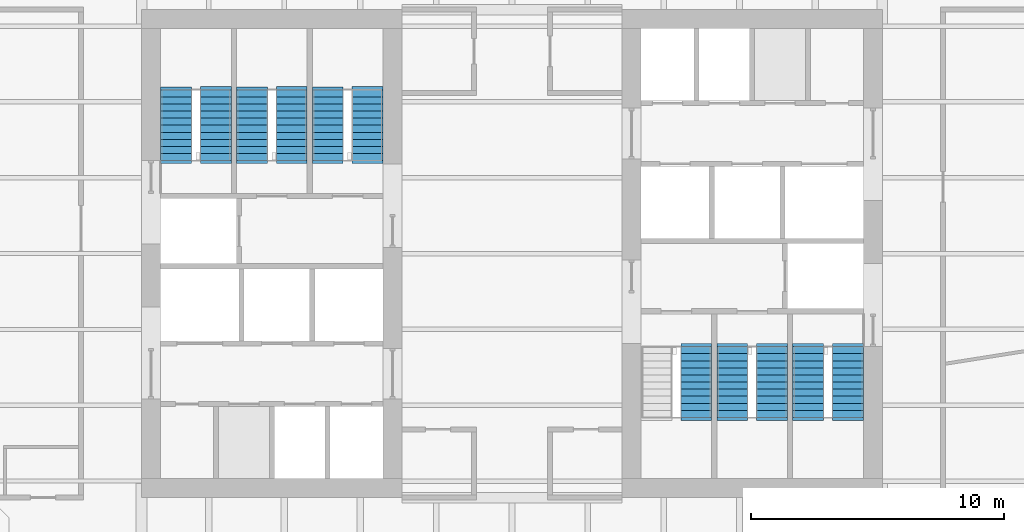
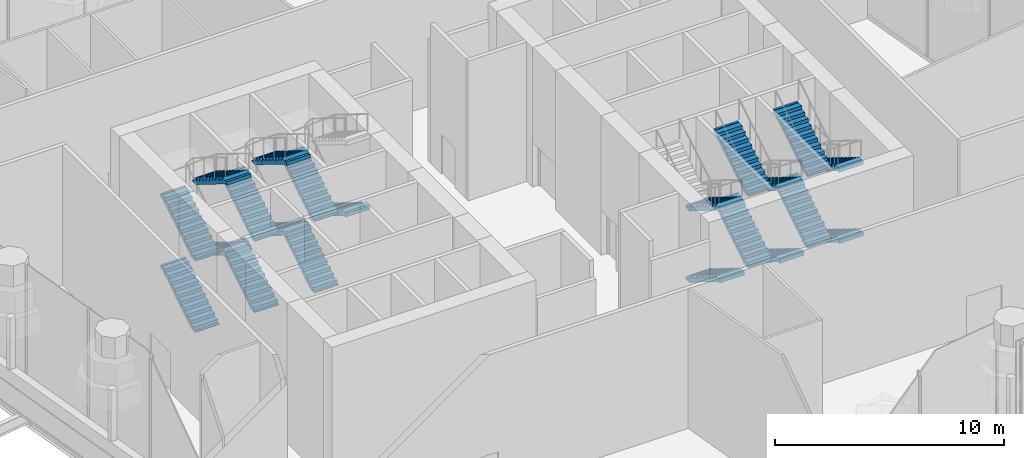
# One storey, part 14 of 19: 21 stair flights, 6 elements without a shape of their own.
"""IFC4 building model written with IfcOpenShell, lengths in metres."""

from ifc_helpers import new_model, si_unit, direction, frame, origin, place, context, subcontext, project, spatial, polyline, outline, extrude, material, type_object, element, aggregate, save


model = new_model("IFC4")

# Units and contexts
model_context = context("Model", 3, precision=1e-05, world=origin(), true_north=direction((0.0, 1.0)))
body_context = subcontext(model_context, "Body", "Model", "MODEL_VIEW")
ifc_project = project(units=[si_unit("LENGTHUNIT", "METRE"), si_unit("AREAUNIT", "SQUARE_METRE"), si_unit("VOLUMEUNIT", "CUBIC_METRE"), si_unit("PLANEANGLEUNIT", "RADIAN"), si_unit("MASSUNIT", "GRAM", prefix="KILO")], contexts=[model_context])

# Site, building, storey
site_placement = place(None, origin())
site = spatial("IfcSite", under=ifc_project, at=site_placement, CompositionType="ELEMENT")
building_placement = place(site_placement, origin())
building = spatial("IfcBuilding", under=site, at=building_placement, Name="Millrace Tower", CompositionType="ELEMENT")
storey_placement = place(building_placement, frame((0.0, 0.0, 172.39990234375)))
storey = spatial("IfcBuildingStorey", under=building, at=storey_placement, Name="L39", CompositionType="ELEMENT", Elevation=172.39990234375)

# Stair, stair flights
ifc_material_1 = material(Name="Concrete C35", Category="concrete")
stair_type = type_object("IfcStairType", Name="Exit stair", PredefinedType="HALF_TURN_STAIR", material=ifc_material_1)
placement = place(storey_placement, origin())
stair_1 = element("IfcStair", 1, at=placement, inside=storey, type_object=stair_type, Name="Stair 1 W L39", PredefinedType="HALF_TURN_STAIR")
ifc_material_2 = material(Name="Concrete C35", Category="concrete")
stair_flight_type = type_object("IfcStairFlightType", Name="Exit stair flight", PredefinedType="STRAIGHT", material=ifc_material_2)
stair_flight_1_placement = place(storey_placement, frame((-13.2900390625, 3.679931640625, 0.0), z_axis=(0.0, 0.0, 1.0), x_axis=(0.0, 1.0, 0.0)))
stair_flight_1 = element("IfcStairFlight", 2, at=stair_flight_1_placement, type_object=stair_flight_type, Name="ST12 flight 1", NumberOfRisers=11, NumberOfTreads=10, PredefinedType="STRAIGHT", RiserHeight=0.172727273, TreadLength=0.28, context=body_context, shape_type="SweptSolid", body=[
    extrude(outline(polyline([(-0.1201171875, -0.0400390625), (-0.1201171875, 0.0), (0.0, 0.0), (0.0, 0.172607421875), (0.280029296875, 0.172607421875), (0.280029296875, 0.345458984375), (0.56005859375, 0.345458984375), (0.56005859375, 0.51806640625), (0.840087890625, 0.51806640625), (0.840087890625, 0.69091796875), (1.1201171875, 0.69091796875), (1.1201171875, 0.863525390625), (1.39990234375, 0.863525390625), (1.39990234375, 1.036376953125), (1.679931640625, 1.036376953125), (1.679931640625, 1.208984375), (1.9599609375, 1.208984375), (1.9599609375, 1.3818359375), (2.239990234375, 1.3818359375), (2.239990234375, 1.554443359375), (2.52001953125, 1.554443359375), (2.52001953125, 1.727294921875), (2.800048828125, 1.727294921875), (2.800048828125, 1.747314453125), (2.919921875, 1.747314453125), (2.919921875, 1.551025390625), (2.800048828125, 1.551025390625), (0.285400390625, 0.0), (0.285400390625, -0.0400390625), (-0.1201171875, -0.0400390625)])), frame((0.0, 0.60986328125, 0.0), z_axis=(0.0, -1.0, 0.0), x_axis=(1.0, 0.0, 0.0)), (0.0, 0.0, 1.0), 1.219970703125),
])
stair_flight_2_placement = place(storey_placement, frame((-11.7099609375, 6.47998046875, 1.900146484375), z_axis=(0.0, 0.0, 1.0), x_axis=(0.0, -1.0, 0.0)))
stair_flight_2 = element("IfcStairFlight", 3, at=stair_flight_2_placement, type_object=stair_flight_type, Name="ST12 flight 2", NumberOfRisers=11, NumberOfTreads=10, PredefinedType="STRAIGHT", RiserHeight=0.172727273, TreadLength=0.28, context=body_context, shape_type="SweptSolid", body=[
    extrude(outline(polyline([(-0.1201171875, -0.0400390625), (-0.1201171875, 0.0), (0.0, 0.0), (0.0, 0.172607421875), (0.280029296875, 0.172607421875), (0.280029296875, 0.345458984375), (0.56005859375, 0.345458984375), (0.56005859375, 0.51806640625), (0.840087890625, 0.51806640625), (0.840087890625, 0.69091796875), (1.1201171875, 0.69091796875), (1.1201171875, 0.863525390625), (1.39990234375, 0.863525390625), (1.39990234375, 1.036376953125), (1.679931640625, 1.036376953125), (1.679931640625, 1.208984375), (1.9599609375, 1.208984375), (1.9599609375, 1.3818359375), (2.239990234375, 1.3818359375), (2.239990234375, 1.554443359375), (2.52001953125, 1.554443359375), (2.52001953125, 1.727294921875), (2.800048828125, 1.727294921875), (2.800048828125, 1.747314453125), (2.919921875, 1.747314453125), (2.919921875, 1.551025390625), (2.800048828125, 1.551025390625), (0.285400390625, 0.0), (0.285400390625, -0.0400390625), (-0.1201171875, -0.0400390625)])), frame((0.0, 0.60986328125, 0.0), z_axis=(0.0, -1.0, 0.0), x_axis=(1.0, 0.0, 0.0)), (0.0, 0.0, 1.0), 1.219970703125),
])
stair_flight_3_placement = place(storey_placement, frame((-13.2900390625, 3.679931640625, 3.800048828125), z_axis=(0.0, 0.0, 1.0), x_axis=(0.0, 1.0, 0.0)))
stair_flight_3 = element("IfcStairFlight", 4, at=stair_flight_3_placement, type_object=stair_flight_type, Name="ST12 flight 3", NumberOfRisers=11, NumberOfTreads=10, PredefinedType="STRAIGHT", RiserHeight=0.172727273, TreadLength=0.28, context=body_context, shape_type="SweptSolid", body=[
    extrude(outline(polyline([(-0.1201171875, -0.0400390625), (-0.1201171875, 0.0), (0.0, 0.0), (0.0, 0.172607421875), (0.280029296875, 0.172607421875), (0.280029296875, 0.345458984375), (0.56005859375, 0.345458984375), (0.56005859375, 0.51806640625), (0.840087890625, 0.51806640625), (0.840087890625, 0.69091796875), (1.1201171875, 0.69091796875), (1.1201171875, 0.863525390625), (1.39990234375, 0.863525390625), (1.39990234375, 1.036376953125), (1.679931640625, 1.036376953125), (1.679931640625, 1.208984375), (1.9599609375, 1.208984375), (1.9599609375, 1.3818359375), (2.239990234375, 1.3818359375), (2.239990234375, 1.554443359375), (2.52001953125, 1.554443359375), (2.52001953125, 1.727294921875), (2.800048828125, 1.727294921875), (2.800048828125, 1.747314453125), (2.919921875, 1.747314453125), (2.919921875, 1.551025390625), (2.800048828125, 1.551025390625), (0.285400390625, 0.0), (0.285400390625, -0.0400390625), (-0.1201171875, -0.0400390625)])), frame((0.0, 0.60986328125, 0.0), z_axis=(0.0, -1.0, 0.0), x_axis=(1.0, 0.0, 0.0)), (0.0, 0.0, 1.0), 1.219970703125),
])
stair_flight_4_placement = place(storey_placement, frame((-11.7099609375, 6.47998046875, 5.7001953125), z_axis=(0.0, 0.0, 1.0), x_axis=(0.0, -1.0, 0.0)))
stair_flight_4 = element("IfcStairFlight", 5, at=stair_flight_4_placement, type_object=stair_flight_type, Name="ST12 flight 4", NumberOfRisers=11, NumberOfTreads=10, PredefinedType="STRAIGHT", RiserHeight=0.172727273, TreadLength=0.28, context=body_context, shape_type="SweptSolid", body=[
    extrude(outline(polyline([(-0.1201171875, -0.0400390625), (-0.1201171875, 0.0), (0.0, 0.0), (0.0, 0.172607421875), (0.280029296875, 0.172607421875), (0.280029296875, 0.345458984375), (0.56005859375, 0.345458984375), (0.56005859375, 0.51806640625), (0.840087890625, 0.51806640625), (0.840087890625, 0.69091796875), (1.1201171875, 0.69091796875), (1.1201171875, 0.863525390625), (1.39990234375, 0.863525390625), (1.39990234375, 1.036376953125), (1.679931640625, 1.036376953125), (1.679931640625, 1.208984375), (1.9599609375, 1.208984375), (1.9599609375, 1.3818359375), (2.239990234375, 1.3818359375), (2.239990234375, 1.554443359375), (2.52001953125, 1.554443359375), (2.52001953125, 1.727294921875), (2.800048828125, 1.727294921875), (2.800048828125, 1.747314453125), (2.919921875, 1.747314453125), (2.919921875, 1.551025390625), (2.800048828125, 1.551025390625), (0.285400390625, 0.0), (0.285400390625, -0.0400390625), (-0.1201171875, -0.0400390625)])), frame((0.0, 0.60986328125, 0.0), z_axis=(0.0, -1.0, 0.0), x_axis=(1.0, 0.0, 0.0)), (0.0, 0.0, 1.0), 1.219970703125),
])
aggregate(stair_1, [stair_flight_1, stair_flight_2, stair_flight_3, stair_flight_4])

stair_2 = element("IfcStair", 6, at=placement, inside=storey, type_object=stair_type, Name="Stair 2 W L39", PredefinedType="HALF_TURN_STAIR")
stair_flight_5_placement = place(storey_placement, frame((-10.2900390625, 3.679931640625, 0.0), z_axis=(0.0, 0.0, 1.0), x_axis=(0.0, 1.0, 0.0)))
stair_flight_5 = element("IfcStairFlight", 7, at=stair_flight_5_placement, type_object=stair_flight_type, Name="ST12 flight 1", NumberOfRisers=11, NumberOfTreads=10, PredefinedType="STRAIGHT", RiserHeight=0.172727273, TreadLength=0.28, context=body_context, shape_type="SweptSolid", body=[
    extrude(outline(polyline([(-0.1201171875, -0.0400390625), (-0.1201171875, 0.0), (0.0, 0.0), (0.0, 0.172607421875), (0.280029296875, 0.172607421875), (0.280029296875, 0.345458984375), (0.56005859375, 0.345458984375), (0.56005859375, 0.51806640625), (0.840087890625, 0.51806640625), (0.840087890625, 0.69091796875), (1.1201171875, 0.69091796875), (1.1201171875, 0.863525390625), (1.39990234375, 0.863525390625), (1.39990234375, 1.036376953125), (1.679931640625, 1.036376953125), (1.679931640625, 1.208984375), (1.9599609375, 1.208984375), (1.9599609375, 1.3818359375), (2.239990234375, 1.3818359375), (2.239990234375, 1.554443359375), (2.52001953125, 1.554443359375), (2.52001953125, 1.727294921875), (2.800048828125, 1.727294921875), (2.800048828125, 1.747314453125), (2.919921875, 1.747314453125), (2.919921875, 1.551025390625), (2.800048828125, 1.551025390625), (0.285400390625, 0.0), (0.285400390625, -0.0400390625), (-0.1201171875, -0.0400390625)])), frame((0.0, 0.60986328125, 0.0), z_axis=(0.0, -1.0, 0.0), x_axis=(1.0, 0.0, 0.0)), (0.0, 0.0, 1.0), 1.219970703125),
])
stair_flight_6_placement = place(storey_placement, frame((-8.7099609375, 6.47998046875, 1.900146484375), z_axis=(0.0, 0.0, 1.0), x_axis=(0.0, -1.0, 0.0)))
stair_flight_6 = element("IfcStairFlight", 8, at=stair_flight_6_placement, type_object=stair_flight_type, Name="ST12 flight 2", NumberOfRisers=11, NumberOfTreads=10, PredefinedType="STRAIGHT", RiserHeight=0.172727273, TreadLength=0.28, context=body_context, shape_type="SweptSolid", body=[
    extrude(outline(polyline([(-0.1201171875, -0.0400390625), (-0.1201171875, 0.0), (0.0, 0.0), (0.0, 0.172607421875), (0.280029296875, 0.172607421875), (0.280029296875, 0.345458984375), (0.56005859375, 0.345458984375), (0.56005859375, 0.51806640625), (0.840087890625, 0.51806640625), (0.840087890625, 0.69091796875), (1.1201171875, 0.69091796875), (1.1201171875, 0.863525390625), (1.39990234375, 0.863525390625), (1.39990234375, 1.036376953125), (1.679931640625, 1.036376953125), (1.679931640625, 1.208984375), (1.9599609375, 1.208984375), (1.9599609375, 1.3818359375), (2.239990234375, 1.3818359375), (2.239990234375, 1.554443359375), (2.52001953125, 1.554443359375), (2.52001953125, 1.727294921875), (2.800048828125, 1.727294921875), (2.800048828125, 1.747314453125), (2.919921875, 1.747314453125), (2.919921875, 1.551025390625), (2.800048828125, 1.551025390625), (0.285400390625, 0.0), (0.285400390625, -0.0400390625), (-0.1201171875, -0.0400390625)])), frame((0.0, 0.60986328125, 0.0), z_axis=(0.0, -1.0, 0.0), x_axis=(1.0, 0.0, 0.0)), (0.0, 0.0, 1.0), 1.219970703125),
])
stair_flight_7_placement = place(storey_placement, frame((-10.2900390625, 3.679931640625, 3.800048828125), z_axis=(0.0, 0.0, 1.0), x_axis=(0.0, 1.0, 0.0)))
stair_flight_7 = element("IfcStairFlight", 9, at=stair_flight_7_placement, type_object=stair_flight_type, Name="ST12 flight 3", NumberOfRisers=11, NumberOfTreads=10, PredefinedType="STRAIGHT", RiserHeight=0.172727273, TreadLength=0.28, context=body_context, shape_type="SweptSolid", body=[
    extrude(outline(polyline([(-0.1201171875, -0.0400390625), (-0.1201171875, 0.0), (0.0, 0.0), (0.0, 0.172607421875), (0.280029296875, 0.172607421875), (0.280029296875, 0.345458984375), (0.56005859375, 0.345458984375), (0.56005859375, 0.51806640625), (0.840087890625, 0.51806640625), (0.840087890625, 0.69091796875), (1.1201171875, 0.69091796875), (1.1201171875, 0.863525390625), (1.39990234375, 0.863525390625), (1.39990234375, 1.036376953125), (1.679931640625, 1.036376953125), (1.679931640625, 1.208984375), (1.9599609375, 1.208984375), (1.9599609375, 1.3818359375), (2.239990234375, 1.3818359375), (2.239990234375, 1.554443359375), (2.52001953125, 1.554443359375), (2.52001953125, 1.727294921875), (2.800048828125, 1.727294921875), (2.800048828125, 1.747314453125), (2.919921875, 1.747314453125), (2.919921875, 1.551025390625), (2.800048828125, 1.551025390625), (0.285400390625, 0.0), (0.285400390625, -0.0400390625), (-0.1201171875, -0.0400390625)])), frame((0.0, 0.60986328125, 0.0), z_axis=(0.0, -1.0, 0.0), x_axis=(1.0, 0.0, 0.0)), (0.0, 0.0, 1.0), 1.219970703125),
])
stair_flight_8_placement = place(storey_placement, frame((-8.7099609375, 6.47998046875, 5.7001953125), z_axis=(0.0, 0.0, 1.0), x_axis=(0.0, -1.0, 0.0)))
stair_flight_8 = element("IfcStairFlight", 10, at=stair_flight_8_placement, type_object=stair_flight_type, Name="ST12 flight 4", NumberOfRisers=11, NumberOfTreads=10, PredefinedType="STRAIGHT", RiserHeight=0.172727273, TreadLength=0.28, context=body_context, shape_type="SweptSolid", body=[
    extrude(outline(polyline([(-0.1201171875, -0.0400390625), (-0.1201171875, 0.0), (0.0, 0.0), (0.0, 0.172607421875), (0.280029296875, 0.172607421875), (0.280029296875, 0.345458984375), (0.56005859375, 0.345458984375), (0.56005859375, 0.51806640625), (0.840087890625, 0.51806640625), (0.840087890625, 0.69091796875), (1.1201171875, 0.69091796875), (1.1201171875, 0.863525390625), (1.39990234375, 0.863525390625), (1.39990234375, 1.036376953125), (1.679931640625, 1.036376953125), (1.679931640625, 1.208984375), (1.9599609375, 1.208984375), (1.9599609375, 1.3818359375), (2.239990234375, 1.3818359375), (2.239990234375, 1.554443359375), (2.52001953125, 1.554443359375), (2.52001953125, 1.727294921875), (2.800048828125, 1.727294921875), (2.800048828125, 1.747314453125), (2.919921875, 1.747314453125), (2.919921875, 1.551025390625), (2.800048828125, 1.551025390625), (0.285400390625, 0.0), (0.285400390625, -0.0400390625), (-0.1201171875, -0.0400390625)])), frame((0.0, 0.60986328125, 0.0), z_axis=(0.0, -1.0, 0.0), x_axis=(1.0, 0.0, 0.0)), (0.0, 0.0, 1.0), 1.219970703125),
])
aggregate(stair_2, [stair_flight_5, stair_flight_6, stair_flight_7, stair_flight_8])

stair_3 = element("IfcStair", 11, at=placement, inside=storey, type_object=stair_type, Name="Stair 3 W L39", PredefinedType="HALF_TURN_STAIR")
stair_flight_9_placement = place(storey_placement, frame((-7.2900390625, 3.679931640625, 0.0), z_axis=(0.0, 0.0, 1.0), x_axis=(0.0, 1.0, 0.0)))
stair_flight_9 = element("IfcStairFlight", 12, at=stair_flight_9_placement, type_object=stair_flight_type, Name="ST12 flight 1", NumberOfRisers=11, NumberOfTreads=10, PredefinedType="STRAIGHT", RiserHeight=0.172727273, TreadLength=0.28, context=body_context, shape_type="SweptSolid", body=[
    extrude(outline(polyline([(-0.1201171875, -0.0400390625), (-0.1201171875, 0.0), (0.0, 0.0), (0.0, 0.172607421875), (0.280029296875, 0.172607421875), (0.280029296875, 0.345458984375), (0.56005859375, 0.345458984375), (0.56005859375, 0.51806640625), (0.840087890625, 0.51806640625), (0.840087890625, 0.69091796875), (1.1201171875, 0.69091796875), (1.1201171875, 0.863525390625), (1.39990234375, 0.863525390625), (1.39990234375, 1.036376953125), (1.679931640625, 1.036376953125), (1.679931640625, 1.208984375), (1.9599609375, 1.208984375), (1.9599609375, 1.3818359375), (2.239990234375, 1.3818359375), (2.239990234375, 1.554443359375), (2.52001953125, 1.554443359375), (2.52001953125, 1.727294921875), (2.800048828125, 1.727294921875), (2.800048828125, 1.747314453125), (2.919921875, 1.747314453125), (2.919921875, 1.551025390625), (2.800048828125, 1.551025390625), (0.285400390625, 0.0), (0.285400390625, -0.0400390625), (-0.1201171875, -0.0400390625)])), frame((0.0, 0.60986328125, 0.0), z_axis=(0.0, -1.0, 0.0), x_axis=(1.0, 0.0, 0.0)), (0.0, 0.0, 1.0), 1.219970703125),
])
stair_flight_10_placement = place(storey_placement, frame((-5.7099609375, 6.47998046875, 1.900146484375), z_axis=(0.0, 0.0, 1.0), x_axis=(0.0, -1.0, 0.0)))
stair_flight_10 = element("IfcStairFlight", 13, at=stair_flight_10_placement, type_object=stair_flight_type, Name="ST12 flight 2", NumberOfRisers=11, NumberOfTreads=10, PredefinedType="STRAIGHT", RiserHeight=0.172727273, TreadLength=0.28, context=body_context, shape_type="SweptSolid", body=[
    extrude(outline(polyline([(-0.1201171875, -0.0400390625), (-0.1201171875, 0.0), (0.0, 0.0), (0.0, 0.172607421875), (0.280029296875, 0.172607421875), (0.280029296875, 0.345458984375), (0.56005859375, 0.345458984375), (0.56005859375, 0.51806640625), (0.840087890625, 0.51806640625), (0.840087890625, 0.69091796875), (1.1201171875, 0.69091796875), (1.1201171875, 0.863525390625), (1.39990234375, 0.863525390625), (1.39990234375, 1.036376953125), (1.679931640625, 1.036376953125), (1.679931640625, 1.208984375), (1.9599609375, 1.208984375), (1.9599609375, 1.3818359375), (2.239990234375, 1.3818359375), (2.239990234375, 1.554443359375), (2.52001953125, 1.554443359375), (2.52001953125, 1.727294921875), (2.800048828125, 1.727294921875), (2.800048828125, 1.747314453125), (2.919921875, 1.747314453125), (2.919921875, 1.551025390625), (2.800048828125, 1.551025390625), (0.285400390625, 0.0), (0.285400390625, -0.0400390625), (-0.1201171875, -0.0400390625)])), frame((0.0, 0.60986328125, 0.0), z_axis=(0.0, -1.0, 0.0), x_axis=(1.0, 0.0, 0.0)), (0.0, 0.0, 1.0), 1.219970703125),
])
stair_flight_11_placement = place(storey_placement, frame((-7.2900390625, 3.679931640625, 3.800048828125), z_axis=(0.0, 0.0, 1.0), x_axis=(0.0, 1.0, 0.0)))
stair_flight_11 = element("IfcStairFlight", 14, at=stair_flight_11_placement, type_object=stair_flight_type, Name="ST12 flight 3", NumberOfRisers=11, NumberOfTreads=10, PredefinedType="STRAIGHT", RiserHeight=0.172727273, TreadLength=0.28, context=body_context, shape_type="SweptSolid", body=[
    extrude(outline(polyline([(-0.1201171875, -0.0400390625), (-0.1201171875, 0.0), (0.0, 0.0), (0.0, 0.172607421875), (0.280029296875, 0.172607421875), (0.280029296875, 0.345458984375), (0.56005859375, 0.345458984375), (0.56005859375, 0.51806640625), (0.840087890625, 0.51806640625), (0.840087890625, 0.69091796875), (1.1201171875, 0.69091796875), (1.1201171875, 0.863525390625), (1.39990234375, 0.863525390625), (1.39990234375, 1.036376953125), (1.679931640625, 1.036376953125), (1.679931640625, 1.208984375), (1.9599609375, 1.208984375), (1.9599609375, 1.3818359375), (2.239990234375, 1.3818359375), (2.239990234375, 1.554443359375), (2.52001953125, 1.554443359375), (2.52001953125, 1.727294921875), (2.800048828125, 1.727294921875), (2.800048828125, 1.747314453125), (2.919921875, 1.747314453125), (2.919921875, 1.551025390625), (2.800048828125, 1.551025390625), (0.285400390625, 0.0), (0.285400390625, -0.0400390625), (-0.1201171875, -0.0400390625)])), frame((0.0, 0.60986328125, 0.0), z_axis=(0.0, -1.0, 0.0), x_axis=(1.0, 0.0, 0.0)), (0.0, 0.0, 1.0), 1.219970703125),
])
aggregate(stair_3, [stair_flight_9, stair_flight_10, stair_flight_11])

stair_4 = element("IfcStair", 15, at=placement, inside=storey, type_object=stair_type, Name="Stair 1 E L39", PredefinedType="HALF_TURN_STAIR")
stair_flight_12_placement = place(storey_placement, frame((13.2900390625, -3.679931640625, 0.0), z_axis=(0.0, 0.0, 1.0), x_axis=(0.0, -1.0, 0.0)))
stair_flight_12 = element("IfcStairFlight", 16, at=stair_flight_12_placement, type_object=stair_flight_type, Name="ST12 flight 1", NumberOfRisers=11, NumberOfTreads=10, PredefinedType="STRAIGHT", RiserHeight=0.172727273, TreadLength=0.28, context=body_context, shape_type="SweptSolid", body=[
    extrude(outline(polyline([(-0.1201171875, -0.0400390625), (-0.1201171875, 0.0), (0.0, 0.0), (0.0, 0.172607421875), (0.280029296875, 0.172607421875), (0.280029296875, 0.345458984375), (0.56005859375, 0.345458984375), (0.56005859375, 0.51806640625), (0.840087890625, 0.51806640625), (0.840087890625, 0.69091796875), (1.1201171875, 0.69091796875), (1.1201171875, 0.863525390625), (1.39990234375, 0.863525390625), (1.39990234375, 1.036376953125), (1.679931640625, 1.036376953125), (1.679931640625, 1.208984375), (1.9599609375, 1.208984375), (1.9599609375, 1.3818359375), (2.239990234375, 1.3818359375), (2.239990234375, 1.554443359375), (2.52001953125, 1.554443359375), (2.52001953125, 1.727294921875), (2.800048828125, 1.727294921875), (2.800048828125, 1.747314453125), (2.919921875, 1.747314453125), (2.919921875, 1.551025390625), (2.800048828125, 1.551025390625), (0.285400390625, 0.0), (0.285400390625, -0.0400390625), (-0.1201171875, -0.0400390625)])), frame((0.0, 0.60986328125, 0.0), z_axis=(0.0, -1.0, 0.0), x_axis=(1.0, 0.0, 0.0)), (0.0, 0.0, 1.0), 1.219970703125),
])
stair_flight_13_placement = place(storey_placement, frame((11.7099609375, -6.47998046875, 1.900146484375), z_axis=(0.0, 0.0, 1.0), x_axis=(0.0, 1.0, 0.0)))
stair_flight_13 = element("IfcStairFlight", 17, at=stair_flight_13_placement, type_object=stair_flight_type, Name="ST12 flight 2", NumberOfRisers=11, NumberOfTreads=10, PredefinedType="STRAIGHT", RiserHeight=0.172727273, TreadLength=0.28, context=body_context, shape_type="SweptSolid", body=[
    extrude(outline(polyline([(-0.1201171875, -0.0400390625), (-0.1201171875, 0.0), (0.0, 0.0), (0.0, 0.172607421875), (0.280029296875, 0.172607421875), (0.280029296875, 0.345458984375), (0.56005859375, 0.345458984375), (0.56005859375, 0.51806640625), (0.840087890625, 0.51806640625), (0.840087890625, 0.69091796875), (1.1201171875, 0.69091796875), (1.1201171875, 0.863525390625), (1.39990234375, 0.863525390625), (1.39990234375, 1.036376953125), (1.679931640625, 1.036376953125), (1.679931640625, 1.208984375), (1.9599609375, 1.208984375), (1.9599609375, 1.3818359375), (2.239990234375, 1.3818359375), (2.239990234375, 1.554443359375), (2.52001953125, 1.554443359375), (2.52001953125, 1.727294921875), (2.800048828125, 1.727294921875), (2.800048828125, 1.747314453125), (2.919921875, 1.747314453125), (2.919921875, 1.551025390625), (2.800048828125, 1.551025390625), (0.285400390625, 0.0), (0.285400390625, -0.0400390625), (-0.1201171875, -0.0400390625)])), frame((0.0, 0.60986328125, 0.0), z_axis=(0.0, -1.0, 0.0), x_axis=(1.0, 0.0, 0.0)), (0.0, 0.0, 1.0), 1.219970703125),
])
stair_flight_14_placement = place(storey_placement, frame((13.2900390625, -3.679931640625, 3.800048828125), z_axis=(0.0, 0.0, 1.0), x_axis=(0.0, -1.0, 0.0)))
stair_flight_14 = element("IfcStairFlight", 18, at=stair_flight_14_placement, type_object=stair_flight_type, Name="ST12 flight 3", NumberOfRisers=11, NumberOfTreads=10, PredefinedType="STRAIGHT", RiserHeight=0.172727273, TreadLength=0.28, context=body_context, shape_type="SweptSolid", body=[
    extrude(outline(polyline([(-0.1201171875, -0.0400390625), (-0.1201171875, 0.0), (0.0, 0.0), (0.0, 0.172607421875), (0.280029296875, 0.172607421875), (0.280029296875, 0.345458984375), (0.56005859375, 0.345458984375), (0.56005859375, 0.51806640625), (0.840087890625, 0.51806640625), (0.840087890625, 0.69091796875), (1.1201171875, 0.69091796875), (1.1201171875, 0.863525390625), (1.39990234375, 0.863525390625), (1.39990234375, 1.036376953125), (1.679931640625, 1.036376953125), (1.679931640625, 1.208984375), (1.9599609375, 1.208984375), (1.9599609375, 1.3818359375), (2.239990234375, 1.3818359375), (2.239990234375, 1.554443359375), (2.52001953125, 1.554443359375), (2.52001953125, 1.727294921875), (2.800048828125, 1.727294921875), (2.800048828125, 1.747314453125), (2.919921875, 1.747314453125), (2.919921875, 1.551025390625), (2.800048828125, 1.551025390625), (0.285400390625, 0.0), (0.285400390625, -0.0400390625), (-0.1201171875, -0.0400390625)])), frame((0.0, 0.60986328125, 0.0), z_axis=(0.0, -1.0, 0.0), x_axis=(1.0, 0.0, 0.0)), (0.0, 0.0, 1.0), 1.219970703125),
])
stair_flight_15_placement = place(storey_placement, frame((11.7099609375, -6.47998046875, 5.7001953125), z_axis=(0.0, 0.0, 1.0), x_axis=(0.0, 1.0, 0.0)))
stair_flight_15 = element("IfcStairFlight", 19, at=stair_flight_15_placement, type_object=stair_flight_type, Name="ST12 flight 4", NumberOfRisers=11, NumberOfTreads=10, PredefinedType="STRAIGHT", RiserHeight=0.172727273, TreadLength=0.28, context=body_context, shape_type="SweptSolid", body=[
    extrude(outline(polyline([(-0.1201171875, -0.0400390625), (-0.1201171875, 0.0), (0.0, 0.0), (0.0, 0.172607421875), (0.280029296875, 0.172607421875), (0.280029296875, 0.345458984375), (0.56005859375, 0.345458984375), (0.56005859375, 0.51806640625), (0.840087890625, 0.51806640625), (0.840087890625, 0.69091796875), (1.1201171875, 0.69091796875), (1.1201171875, 0.863525390625), (1.39990234375, 0.863525390625), (1.39990234375, 1.036376953125), (1.679931640625, 1.036376953125), (1.679931640625, 1.208984375), (1.9599609375, 1.208984375), (1.9599609375, 1.3818359375), (2.239990234375, 1.3818359375), (2.239990234375, 1.554443359375), (2.52001953125, 1.554443359375), (2.52001953125, 1.727294921875), (2.800048828125, 1.727294921875), (2.800048828125, 1.747314453125), (2.919921875, 1.747314453125), (2.919921875, 1.551025390625), (2.800048828125, 1.551025390625), (0.285400390625, 0.0), (0.285400390625, -0.0400390625), (-0.1201171875, -0.0400390625)])), frame((0.0, 0.60986328125, 0.0), z_axis=(0.0, -1.0, 0.0), x_axis=(1.0, 0.0, 0.0)), (0.0, 0.0, 1.0), 1.219970703125),
])
aggregate(stair_4, [stair_flight_12, stair_flight_13, stair_flight_14, stair_flight_15])

stair_5 = element("IfcStair", 20, at=placement, inside=storey, type_object=stair_type, Name="Stair 2 E L39", PredefinedType="HALF_TURN_STAIR")
stair_flight_16_placement = place(storey_placement, frame((10.2900390625, -3.679931640625, 0.0), z_axis=(0.0, 0.0, 1.0), x_axis=(0.0, -1.0, 0.0)))
stair_flight_16 = element("IfcStairFlight", 21, at=stair_flight_16_placement, type_object=stair_flight_type, Name="ST12 flight 1", NumberOfRisers=11, NumberOfTreads=10, PredefinedType="STRAIGHT", RiserHeight=0.172727273, TreadLength=0.28, context=body_context, shape_type="SweptSolid", body=[
    extrude(outline(polyline([(-0.1201171875, -0.0400390625), (-0.1201171875, 0.0), (0.0, 0.0), (0.0, 0.172607421875), (0.280029296875, 0.172607421875), (0.280029296875, 0.345458984375), (0.56005859375, 0.345458984375), (0.56005859375, 0.51806640625), (0.840087890625, 0.51806640625), (0.840087890625, 0.69091796875), (1.1201171875, 0.69091796875), (1.1201171875, 0.863525390625), (1.39990234375, 0.863525390625), (1.39990234375, 1.036376953125), (1.679931640625, 1.036376953125), (1.679931640625, 1.208984375), (1.9599609375, 1.208984375), (1.9599609375, 1.3818359375), (2.239990234375, 1.3818359375), (2.239990234375, 1.554443359375), (2.52001953125, 1.554443359375), (2.52001953125, 1.727294921875), (2.800048828125, 1.727294921875), (2.800048828125, 1.747314453125), (2.919921875, 1.747314453125), (2.919921875, 1.551025390625), (2.800048828125, 1.551025390625), (0.285400390625, 0.0), (0.285400390625, -0.0400390625), (-0.1201171875, -0.0400390625)])), frame((0.0, 0.60986328125, 0.0), z_axis=(0.0, -1.0, 0.0), x_axis=(1.0, 0.0, 0.0)), (0.0, 0.0, 1.0), 1.219970703125),
])
stair_flight_17_placement = place(storey_placement, frame((8.7099609375, -6.47998046875, 1.900146484375), z_axis=(0.0, 0.0, 1.0), x_axis=(0.0, 1.0, 0.0)))
stair_flight_17 = element("IfcStairFlight", 22, at=stair_flight_17_placement, type_object=stair_flight_type, Name="ST12 flight 2", NumberOfRisers=11, NumberOfTreads=10, PredefinedType="STRAIGHT", RiserHeight=0.172727273, TreadLength=0.28, context=body_context, shape_type="SweptSolid", body=[
    extrude(outline(polyline([(-0.1201171875, -0.0400390625), (-0.1201171875, 0.0), (0.0, 0.0), (0.0, 0.172607421875), (0.280029296875, 0.172607421875), (0.280029296875, 0.345458984375), (0.56005859375, 0.345458984375), (0.56005859375, 0.51806640625), (0.840087890625, 0.51806640625), (0.840087890625, 0.69091796875), (1.1201171875, 0.69091796875), (1.1201171875, 0.863525390625), (1.39990234375, 0.863525390625), (1.39990234375, 1.036376953125), (1.679931640625, 1.036376953125), (1.679931640625, 1.208984375), (1.9599609375, 1.208984375), (1.9599609375, 1.3818359375), (2.239990234375, 1.3818359375), (2.239990234375, 1.554443359375), (2.52001953125, 1.554443359375), (2.52001953125, 1.727294921875), (2.800048828125, 1.727294921875), (2.800048828125, 1.747314453125), (2.919921875, 1.747314453125), (2.919921875, 1.551025390625), (2.800048828125, 1.551025390625), (0.285400390625, 0.0), (0.285400390625, -0.0400390625), (-0.1201171875, -0.0400390625)])), frame((0.0, 0.60986328125, 0.0), z_axis=(0.0, -1.0, 0.0), x_axis=(1.0, 0.0, 0.0)), (0.0, 0.0, 1.0), 1.219970703125),
])
stair_flight_18_placement = place(storey_placement, frame((10.2900390625, -3.679931640625, 3.800048828125), z_axis=(0.0, 0.0, 1.0), x_axis=(0.0, -1.0, 0.0)))
stair_flight_18 = element("IfcStairFlight", 23, at=stair_flight_18_placement, type_object=stair_flight_type, Name="ST12 flight 3", NumberOfRisers=11, NumberOfTreads=10, PredefinedType="STRAIGHT", RiserHeight=0.172727273, TreadLength=0.28, context=body_context, shape_type="SweptSolid", body=[
    extrude(outline(polyline([(-0.1201171875, -0.0400390625), (-0.1201171875, 0.0), (0.0, 0.0), (0.0, 0.172607421875), (0.280029296875, 0.172607421875), (0.280029296875, 0.345458984375), (0.56005859375, 0.345458984375), (0.56005859375, 0.51806640625), (0.840087890625, 0.51806640625), (0.840087890625, 0.69091796875), (1.1201171875, 0.69091796875), (1.1201171875, 0.863525390625), (1.39990234375, 0.863525390625), (1.39990234375, 1.036376953125), (1.679931640625, 1.036376953125), (1.679931640625, 1.208984375), (1.9599609375, 1.208984375), (1.9599609375, 1.3818359375), (2.239990234375, 1.3818359375), (2.239990234375, 1.554443359375), (2.52001953125, 1.554443359375), (2.52001953125, 1.727294921875), (2.800048828125, 1.727294921875), (2.800048828125, 1.747314453125), (2.919921875, 1.747314453125), (2.919921875, 1.551025390625), (2.800048828125, 1.551025390625), (0.285400390625, 0.0), (0.285400390625, -0.0400390625), (-0.1201171875, -0.0400390625)])), frame((0.0, 0.60986328125, 0.0), z_axis=(0.0, -1.0, 0.0), x_axis=(1.0, 0.0, 0.0)), (0.0, 0.0, 1.0), 1.219970703125),
])
stair_flight_19_placement = place(storey_placement, frame((8.7099609375, -6.47998046875, 5.7001953125), z_axis=(0.0, 0.0, 1.0), x_axis=(0.0, 1.0, 0.0)))
stair_flight_19 = element("IfcStairFlight", 24, at=stair_flight_19_placement, type_object=stair_flight_type, Name="ST12 flight 4", NumberOfRisers=11, NumberOfTreads=10, PredefinedType="STRAIGHT", RiserHeight=0.172727273, TreadLength=0.28, context=body_context, shape_type="SweptSolid", body=[
    extrude(outline(polyline([(-0.1201171875, -0.0400390625), (-0.1201171875, 0.0), (0.0, 0.0), (0.0, 0.172607421875), (0.280029296875, 0.172607421875), (0.280029296875, 0.345458984375), (0.56005859375, 0.345458984375), (0.56005859375, 0.51806640625), (0.840087890625, 0.51806640625), (0.840087890625, 0.69091796875), (1.1201171875, 0.69091796875), (1.1201171875, 0.863525390625), (1.39990234375, 0.863525390625), (1.39990234375, 1.036376953125), (1.679931640625, 1.036376953125), (1.679931640625, 1.208984375), (1.9599609375, 1.208984375), (1.9599609375, 1.3818359375), (2.239990234375, 1.3818359375), (2.239990234375, 1.554443359375), (2.52001953125, 1.554443359375), (2.52001953125, 1.727294921875), (2.800048828125, 1.727294921875), (2.800048828125, 1.747314453125), (2.919921875, 1.747314453125), (2.919921875, 1.551025390625), (2.800048828125, 1.551025390625), (0.285400390625, 0.0), (0.285400390625, -0.0400390625), (-0.1201171875, -0.0400390625)])), frame((0.0, 0.60986328125, 0.0), z_axis=(0.0, -1.0, 0.0), x_axis=(1.0, 0.0, 0.0)), (0.0, 0.0, 1.0), 1.219970703125),
])
aggregate(stair_5, [stair_flight_16, stair_flight_17, stair_flight_18, stair_flight_19])

stair_6 = element("IfcStair", 25, at=placement, inside=storey, type_object=stair_type, Name="Stair 3 E L39", PredefinedType="HALF_TURN_STAIR")
stair_flight_20_placement = place(storey_placement, frame((7.2900390625, -3.679931640625, 0.0), z_axis=(0.0, 0.0, 1.0), x_axis=(0.0, -1.0, 0.0)))
stair_flight_20 = element("IfcStairFlight", 26, at=stair_flight_20_placement, type_object=stair_flight_type, Name="ST12 flight 1", NumberOfRisers=11, NumberOfTreads=10, PredefinedType="STRAIGHT", RiserHeight=0.172727273, TreadLength=0.28, context=body_context, shape_type="SweptSolid", body=[
    extrude(outline(polyline([(-0.1201171875, -0.0400390625), (-0.1201171875, 0.0), (0.0, 0.0), (0.0, 0.172607421875), (0.280029296875, 0.172607421875), (0.280029296875, 0.345458984375), (0.56005859375, 0.345458984375), (0.56005859375, 0.51806640625), (0.840087890625, 0.51806640625), (0.840087890625, 0.69091796875), (1.1201171875, 0.69091796875), (1.1201171875, 0.863525390625), (1.39990234375, 0.863525390625), (1.39990234375, 1.036376953125), (1.679931640625, 1.036376953125), (1.679931640625, 1.208984375), (1.9599609375, 1.208984375), (1.9599609375, 1.3818359375), (2.239990234375, 1.3818359375), (2.239990234375, 1.554443359375), (2.52001953125, 1.554443359375), (2.52001953125, 1.727294921875), (2.800048828125, 1.727294921875), (2.800048828125, 1.747314453125), (2.919921875, 1.747314453125), (2.919921875, 1.551025390625), (2.800048828125, 1.551025390625), (0.285400390625, 0.0), (0.285400390625, -0.0400390625), (-0.1201171875, -0.0400390625)])), frame((0.0, 0.60986328125, 0.0), z_axis=(0.0, -1.0, 0.0), x_axis=(1.0, 0.0, 0.0)), (0.0, 0.0, 1.0), 1.219970703125),
])
stair_flight_21_placement = place(storey_placement, frame((7.2900390625, -3.679931640625, 3.800048828125), z_axis=(0.0, 0.0, 1.0), x_axis=(0.0, -1.0, 0.0)))
stair_flight_21 = element("IfcStairFlight", 27, at=stair_flight_21_placement, type_object=stair_flight_type, Name="ST12 flight 3", NumberOfRisers=11, NumberOfTreads=10, PredefinedType="STRAIGHT", RiserHeight=0.172727273, TreadLength=0.28, context=body_context, shape_type="SweptSolid", body=[
    extrude(outline(polyline([(-0.1201171875, -0.0400390625), (-0.1201171875, 0.0), (0.0, 0.0), (0.0, 0.172607421875), (0.280029296875, 0.172607421875), (0.280029296875, 0.345458984375), (0.56005859375, 0.345458984375), (0.56005859375, 0.51806640625), (0.840087890625, 0.51806640625), (0.840087890625, 0.69091796875), (1.1201171875, 0.69091796875), (1.1201171875, 0.863525390625), (1.39990234375, 0.863525390625), (1.39990234375, 1.036376953125), (1.679931640625, 1.036376953125), (1.679931640625, 1.208984375), (1.9599609375, 1.208984375), (1.9599609375, 1.3818359375), (2.239990234375, 1.3818359375), (2.239990234375, 1.554443359375), (2.52001953125, 1.554443359375), (2.52001953125, 1.727294921875), (2.800048828125, 1.727294921875), (2.800048828125, 1.747314453125), (2.919921875, 1.747314453125), (2.919921875, 1.551025390625), (2.800048828125, 1.551025390625), (0.285400390625, 0.0), (0.285400390625, -0.0400390625), (-0.1201171875, -0.0400390625)])), frame((0.0, 0.60986328125, 0.0), z_axis=(0.0, -1.0, 0.0), x_axis=(1.0, 0.0, 0.0)), (0.0, 0.0, 1.0), 1.219970703125),
])
aggregate(stair_6, [stair_flight_20, stair_flight_21])

save(model, "model.ifc")
